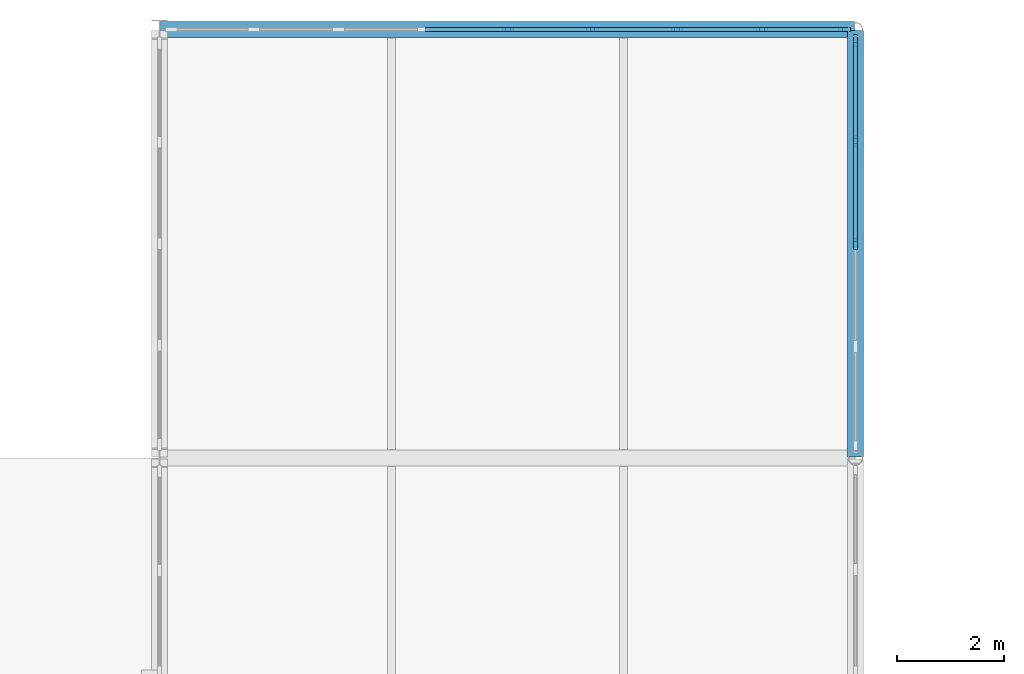
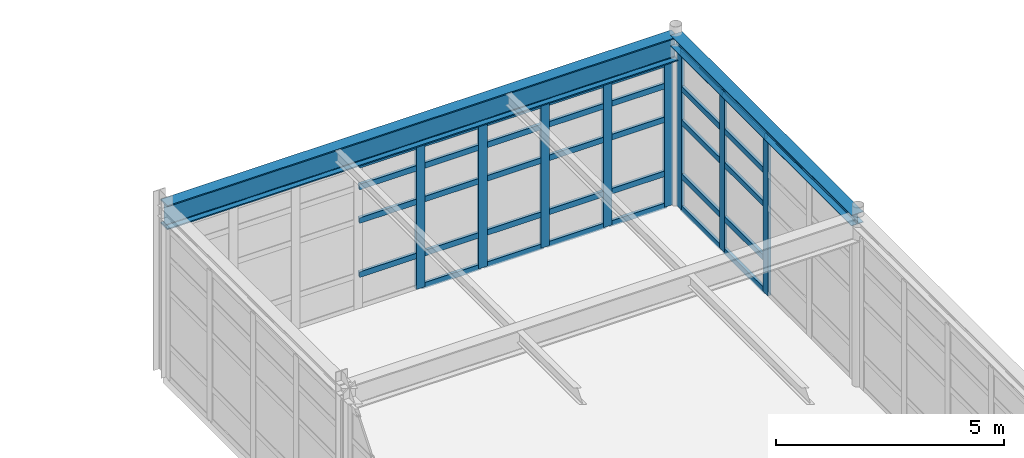
# One storey, part 80 of 139: 42 members, 2 beams, 2 elements without a shape of their own.
"""IFC4 building model written with IfcOpenShell, lengths in metres."""

from ifc_helpers import new_model, si_unit, direction, frame, origin, origin_2d, place, context, subcontext, project, spatial, rectangle, i_section, extrude, material, layer, layer_set, material_profile, profile_set, type_object, element, aggregate, save


model = new_model("IFC4")

# Units and contexts
model_context = context("Model", 3, precision=1e-05, world=origin(), true_north=direction((0.0, 1.0)))
body_context = subcontext(model_context, "Body", "Model", "MODEL_VIEW")
ifc_project = project(units=[si_unit("LENGTHUNIT", "METRE"), si_unit("AREAUNIT", "SQUARE_METRE"), si_unit("VOLUMEUNIT", "CUBIC_METRE"), si_unit("PLANEANGLEUNIT", "RADIAN"), si_unit("MASSUNIT", "GRAM", prefix="KILO"), si_unit("THERMODYNAMICTEMPERATUREUNIT", "KELVIN"), si_unit("POWERUNIT", "WATT")], contexts=[model_context])

# Site, building, storey
site_placement = place(None, origin())
site = spatial("IfcSite", under=ifc_project, at=site_placement, CompositionType="ELEMENT")
building_placement = place(site_placement, origin())
building = spatial("IfcBuilding", under=site, at=building_placement, Name="Korenveer Ferry Terminal", CompositionType="ELEMENT")
storey_placement = place(building_placement, frame((0.0, 0.0, 5.39990234375)))
storey = spatial("IfcBuildingStorey", under=building, at=storey_placement, Name="L01", CompositionType="ELEMENT", Elevation=5.39990234375)

# Curtain wall, members
ifc_material_1 = material(Name="Unitised bronze-and-glass curtain wall", Category="glass")
ifc_layer_1 = layer(ifc_material_1, 0.219970703125)
ifc_layer_set_1 = layer_set([ifc_layer_1], Name="Unitised bronze-and-glass curtain wall")
curtain_wall_type_1 = type_object("IfcCurtainWallType", Name="ENV-CW-57", PredefinedType="USERDEFINED", material=ifc_layer_set_1)
curtain_wall_1_placement = place(storey_placement, frame((123.179931640625, 116.0, 0.0)))
curtain_wall_1 = element("IfcCurtainWall", 1, at=curtain_wall_1_placement, inside=storey, type_object=curtain_wall_type_1, Name="Lancet curtain wall CWX-L01-X123-136-Y116-116", ObjectType="UNITISED CURTAIN WALL", PredefinedType="USERDEFINED")
ifc_material_2 = material(Name="Anodised bronze aluminium", Category="aluminium")
ifc_material_profile_1 = material_profile(ifc_material_2, rectangle(XDim=0.074951171875, YDim=0.219970703125, at=origin_2d()), Name="ALU 75x220")
ifc_profile_set_1 = profile_set([ifc_material_profile_1], Name="Anodised bronze aluminium")
member_type_1 = type_object("IfcMemberType", Name="ENV-CWM-75X220", PredefinedType="MULLION", material=ifc_profile_set_1)
member_1_placement = place(storey_placement, frame((129.5068359375, 116.0, 0.0), z_axis=(0.0, 0.0, 1.0), x_axis=(0.0, 1.0, 0.0)))
member_1 = element("IfcMember", 2, at=member_1_placement, type_object=member_type_1, Name="CW-57 mullion 5", PredefinedType="MULLION", context=body_context, shape_type="SweptSolid", body=[
    extrude(rectangle(XDim=0.074951171875, YDim=0.219970703125, at=origin_2d()), origin(), (0.0, 0.0, 1.0), 3.8701171875),
])
member_2_placement = place(storey_placement, frame((131.08837890625, 116.0, 0.0), z_axis=(0.0, 0.0, 1.0), x_axis=(0.0, 1.0, 0.0)))
member_2 = element("IfcMember", 3, at=member_2_placement, type_object=member_type_1, Name="CW-57 mullion 6", PredefinedType="MULLION", context=body_context, shape_type="SweptSolid", body=[
    extrude(rectangle(XDim=0.074951171875, YDim=0.219970703125, at=origin_2d()), origin(), (0.0, 0.0, 1.0), 3.8701171875),
])
member_3_placement = place(storey_placement, frame((132.670166015625, 116.0, 0.0), z_axis=(0.0, 0.0, 1.0), x_axis=(0.0, 1.0, 0.0)))
member_3 = element("IfcMember", 4, at=member_3_placement, type_object=member_type_1, Name="CW-57 mullion 7", PredefinedType="MULLION", context=body_context, shape_type="SweptSolid", body=[
    extrude(rectangle(XDim=0.074951171875, YDim=0.219970703125, at=origin_2d()), origin(), (0.0, 0.0, 1.0), 3.8701171875),
])
member_4_placement = place(storey_placement, frame((134.251708984375, 116.0, 0.0), z_axis=(0.0, 0.0, 1.0), x_axis=(0.0, 1.0, 0.0)))
member_4 = element("IfcMember", 5, at=member_4_placement, type_object=member_type_1, Name="CW-57 mullion 8", PredefinedType="MULLION", context=body_context, shape_type="SweptSolid", body=[
    extrude(rectangle(XDim=0.074951171875, YDim=0.219970703125, at=origin_2d()), origin(), (0.0, 0.0, 1.0), 3.8701171875),
])
member_5_placement = place(storey_placement, frame((135.7958984375, 116.0, 0.0), z_axis=(0.0, 0.0, 1.0), x_axis=(0.0, 1.0, 0.0)))
member_5 = element("IfcMember", 6, at=member_5_placement, type_object=member_type_1, Name="CW-57 mullion 9", PredefinedType="MULLION", context=body_context, shape_type="SweptSolid", body=[
    extrude(rectangle(XDim=0.074951171875, YDim=0.219970703125, at=origin_2d()), origin(), (0.0, 0.0, 1.0), 3.8701171875),
])

ifc_layer_2 = layer(ifc_material_1, 0.219970703125)
ifc_layer_set_2 = layer_set([ifc_layer_2], Name="Unitised bronze-and-glass curtain wall")
curtain_wall_type_2 = type_object("IfcCurtainWallType", Name="ENV-CW-77", PredefinedType="USERDEFINED", material=ifc_layer_set_2)
curtain_wall_2_placement = place(storey_placement, frame((136.0, 115.83349609375, 0.0)))
curtain_wall_2 = element("IfcCurtainWall", 7, at=curtain_wall_2_placement, inside=storey, type_object=curtain_wall_type_2, Name="Lancet curtain wall CWX-L01-X136-136-Y108-116", ObjectType="UNITISED CURTAIN WALL", PredefinedType="USERDEFINED")
member_6_placement = place(storey_placement, frame((136.0, 115.7958984375, 0.0), z_axis=(0.0, 0.0, 1.0), x_axis=(1.0, 0.0, 0.0)))
member_6 = element("IfcMember", 8, at=member_6_placement, type_object=member_type_1, Name="CW-77 mullion 1", PredefinedType="MULLION", context=body_context, shape_type="SweptSolid", body=[
    extrude(rectangle(XDim=0.074951171875, YDim=0.219970703125, at=origin_2d()), origin(), (0.0, 0.0, 1.0), 4.22998046875),
])
member_7_placement = place(storey_placement, frame((136.0, 113.916748046875, 0.0), z_axis=(0.0, 0.0, 1.0), x_axis=(1.0, 0.0, 0.0)))
member_7 = element("IfcMember", 9, at=member_7_placement, type_object=member_type_1, Name="CW-77 mullion 2", PredefinedType="MULLION", context=body_context, shape_type="SweptSolid", body=[
    extrude(rectangle(XDim=0.074951171875, YDim=0.219970703125, at=origin_2d()), origin(), (0.0, 0.0, 1.0), 4.22998046875),
])
member_8_placement = place(storey_placement, frame((136.0, 112.0, 0.0), z_axis=(0.0, 0.0, 1.0), x_axis=(1.0, 0.0, 0.0)))
member_8 = element("IfcMember", 10, at=member_8_placement, type_object=member_type_1, Name="CW-77 mullion 3", PredefinedType="MULLION", context=body_context, shape_type="SweptSolid", body=[
    extrude(rectangle(XDim=0.074951171875, YDim=0.219970703125, at=origin_2d()), origin(), (0.0, 0.0, 1.0), 4.22998046875),
])

# Member
ifc_material_profile_2 = material_profile(ifc_material_2, rectangle(XDim=0.074951171875, YDim=0.14990234375, at=origin_2d()), Name="ALU 75x150")
ifc_profile_set_2 = profile_set([ifc_material_profile_2], Name="Anodised bronze aluminium")
member_type_2 = type_object("IfcMemberType", Name="ENV-CWT-75X150", PredefinedType="USERDEFINED", material=ifc_profile_set_2)
member_9_placement = place(storey_placement, frame((127.962646484375, 116.0, 0.900146484375), z_axis=(1.0, 0.0, 0.0), x_axis=(0.0, 1.0, 0.0)))
member_9 = element("IfcMember", 11, at=member_9_placement, type_object=member_type_2, Name="CW-57 transom 4.2", ObjectType="TRANSOM", PredefinedType="USERDEFINED", context=body_context, shape_type="SweptSolid", body=[
    extrude(rectangle(XDim=0.074951171875, YDim=0.14990234375, at=origin_2d()), origin(), (0.0, 0.0, 1.0), 1.506591796875),
])

member_10_placement = place(storey_placement, frame((127.962646484375, 116.0, 2.35009765625), z_axis=(1.0, 0.0, 0.0), x_axis=(0.0, 1.0, 0.0)))
member_10 = element("IfcMember", 12, at=member_10_placement, type_object=member_type_2, Name="CW-57 transom 4.3", ObjectType="TRANSOM", PredefinedType="USERDEFINED", context=body_context, shape_type="SweptSolid", body=[
    extrude(rectangle(XDim=0.074951171875, YDim=0.14990234375, at=origin_2d()), origin(), (0.0, 0.0, 1.0), 1.506591796875),
])

member_11_placement = place(storey_placement, frame((127.962646484375, 116.0, 3.25), z_axis=(1.0, 0.0, 0.0), x_axis=(0.0, 1.0, 0.0)))
member_11 = element("IfcMember", 13, at=member_11_placement, type_object=member_type_2, Name="CW-57 transom 4.4", ObjectType="TRANSOM", PredefinedType="USERDEFINED", context=body_context, shape_type="SweptSolid", body=[
    extrude(rectangle(XDim=0.074951171875, YDim=0.14990234375, at=origin_2d()), origin(), (0.0, 0.0, 1.0), 1.506591796875),
])

member_12_placement = place(storey_placement, frame((127.962646484375, 116.0, 3.83251953125), z_axis=(1.0, 0.0, 0.0), x_axis=(0.0, 1.0, 0.0)))
member_12 = element("IfcMember", 14, at=member_12_placement, type_object=member_type_2, Name="CW-57 transom 4.5", ObjectType="TRANSOM", PredefinedType="USERDEFINED", context=body_context, shape_type="SweptSolid", body=[
    extrude(rectangle(XDim=0.074951171875, YDim=0.14990234375, at=origin_2d()), origin(), (0.0, 0.0, 1.0), 1.506591796875),
])

member_13_placement = place(storey_placement, frame((129.544189453125, 116.0, 0.03759765625), z_axis=(1.0, 0.0, 0.0), x_axis=(0.0, 1.0, 0.0)))
member_13 = element("IfcMember", 15, at=member_13_placement, type_object=member_type_2, Name="CW-57 transom 5.1", ObjectType="TRANSOM", PredefinedType="USERDEFINED", context=body_context, shape_type="SweptSolid", body=[
    extrude(rectangle(XDim=0.074951171875, YDim=0.14990234375, at=origin_2d()), origin(), (0.0, 0.0, 1.0), 1.5068359375),
])

member_14_placement = place(storey_placement, frame((129.544189453125, 116.0, 0.900146484375), z_axis=(1.0, 0.0, 0.0), x_axis=(0.0, 1.0, 0.0)))
member_14 = element("IfcMember", 16, at=member_14_placement, type_object=member_type_2, Name="CW-57 transom 5.2", ObjectType="TRANSOM", PredefinedType="USERDEFINED", context=body_context, shape_type="SweptSolid", body=[
    extrude(rectangle(XDim=0.074951171875, YDim=0.14990234375, at=origin_2d()), origin(), (0.0, 0.0, 1.0), 1.5068359375),
])

member_15_placement = place(storey_placement, frame((129.544189453125, 116.0, 2.35009765625), z_axis=(1.0, 0.0, 0.0), x_axis=(0.0, 1.0, 0.0)))
member_15 = element("IfcMember", 17, at=member_15_placement, type_object=member_type_2, Name="CW-57 transom 5.3", ObjectType="TRANSOM", PredefinedType="USERDEFINED", context=body_context, shape_type="SweptSolid", body=[
    extrude(rectangle(XDim=0.074951171875, YDim=0.14990234375, at=origin_2d()), origin(), (0.0, 0.0, 1.0), 1.5068359375),
])

member_16_placement = place(storey_placement, frame((129.544189453125, 116.0, 3.25), z_axis=(1.0, 0.0, 0.0), x_axis=(0.0, 1.0, 0.0)))
member_16 = element("IfcMember", 18, at=member_16_placement, type_object=member_type_2, Name="CW-57 transom 5.4", ObjectType="TRANSOM", PredefinedType="USERDEFINED", context=body_context, shape_type="SweptSolid", body=[
    extrude(rectangle(XDim=0.074951171875, YDim=0.14990234375, at=origin_2d()), origin(), (0.0, 0.0, 1.0), 1.5068359375),
])

member_17_placement = place(storey_placement, frame((129.544189453125, 116.0, 3.83251953125), z_axis=(1.0, 0.0, 0.0), x_axis=(0.0, 1.0, 0.0)))
member_17 = element("IfcMember", 19, at=member_17_placement, type_object=member_type_2, Name="CW-57 transom 5.5", ObjectType="TRANSOM", PredefinedType="USERDEFINED", context=body_context, shape_type="SweptSolid", body=[
    extrude(rectangle(XDim=0.074951171875, YDim=0.14990234375, at=origin_2d()), origin(), (0.0, 0.0, 1.0), 1.5068359375),
])

member_18_placement = place(storey_placement, frame((131.1259765625, 116.0, 0.03759765625), z_axis=(1.0, 0.0, 0.0), x_axis=(0.0, 1.0, 0.0)))
member_18 = element("IfcMember", 20, at=member_18_placement, type_object=member_type_2, Name="CW-57 transom 6.1", ObjectType="TRANSOM", PredefinedType="USERDEFINED", context=body_context, shape_type="SweptSolid", body=[
    extrude(rectangle(XDim=0.074951171875, YDim=0.14990234375, at=origin_2d()), origin(), (0.0, 0.0, 1.0), 1.506591796875),
])

member_19_placement = place(storey_placement, frame((131.1259765625, 116.0, 0.900146484375), z_axis=(1.0, 0.0, 0.0), x_axis=(0.0, 1.0, 0.0)))
member_19 = element("IfcMember", 21, at=member_19_placement, type_object=member_type_2, Name="CW-57 transom 6.2", ObjectType="TRANSOM", PredefinedType="USERDEFINED", context=body_context, shape_type="SweptSolid", body=[
    extrude(rectangle(XDim=0.074951171875, YDim=0.14990234375, at=origin_2d()), origin(), (0.0, 0.0, 1.0), 1.506591796875),
])

member_20_placement = place(storey_placement, frame((131.1259765625, 116.0, 2.35009765625), z_axis=(1.0, 0.0, 0.0), x_axis=(0.0, 1.0, 0.0)))
member_20 = element("IfcMember", 22, at=member_20_placement, type_object=member_type_2, Name="CW-57 transom 6.3", ObjectType="TRANSOM", PredefinedType="USERDEFINED", context=body_context, shape_type="SweptSolid", body=[
    extrude(rectangle(XDim=0.074951171875, YDim=0.14990234375, at=origin_2d()), origin(), (0.0, 0.0, 1.0), 1.506591796875),
])

member_21_placement = place(storey_placement, frame((131.1259765625, 116.0, 3.25), z_axis=(1.0, 0.0, 0.0), x_axis=(0.0, 1.0, 0.0)))
member_21 = element("IfcMember", 23, at=member_21_placement, type_object=member_type_2, Name="CW-57 transom 6.4", ObjectType="TRANSOM", PredefinedType="USERDEFINED", context=body_context, shape_type="SweptSolid", body=[
    extrude(rectangle(XDim=0.074951171875, YDim=0.14990234375, at=origin_2d()), origin(), (0.0, 0.0, 1.0), 1.506591796875),
])

member_22_placement = place(storey_placement, frame((131.1259765625, 116.0, 3.83251953125), z_axis=(1.0, 0.0, 0.0), x_axis=(0.0, 1.0, 0.0)))
member_22 = element("IfcMember", 24, at=member_22_placement, type_object=member_type_2, Name="CW-57 transom 6.5", ObjectType="TRANSOM", PredefinedType="USERDEFINED", context=body_context, shape_type="SweptSolid", body=[
    extrude(rectangle(XDim=0.074951171875, YDim=0.14990234375, at=origin_2d()), origin(), (0.0, 0.0, 1.0), 1.506591796875),
])

member_23_placement = place(storey_placement, frame((132.70751953125, 116.0, 0.03759765625), z_axis=(1.0, 0.0, 0.0), x_axis=(0.0, 1.0, 0.0)))
member_23 = element("IfcMember", 25, at=member_23_placement, type_object=member_type_2, Name="CW-57 transom 7.1", ObjectType="TRANSOM", PredefinedType="USERDEFINED", context=body_context, shape_type="SweptSolid", body=[
    extrude(rectangle(XDim=0.074951171875, YDim=0.14990234375, at=origin_2d()), origin(), (0.0, 0.0, 1.0), 1.5068359375),
])

member_24_placement = place(storey_placement, frame((132.70751953125, 116.0, 0.900146484375), z_axis=(1.0, 0.0, 0.0), x_axis=(0.0, 1.0, 0.0)))
member_24 = element("IfcMember", 26, at=member_24_placement, type_object=member_type_2, Name="CW-57 transom 7.2", ObjectType="TRANSOM", PredefinedType="USERDEFINED", context=body_context, shape_type="SweptSolid", body=[
    extrude(rectangle(XDim=0.074951171875, YDim=0.14990234375, at=origin_2d()), origin(), (0.0, 0.0, 1.0), 1.5068359375),
])

member_25_placement = place(storey_placement, frame((132.70751953125, 116.0, 2.35009765625), z_axis=(1.0, 0.0, 0.0), x_axis=(0.0, 1.0, 0.0)))
member_25 = element("IfcMember", 27, at=member_25_placement, type_object=member_type_2, Name="CW-57 transom 7.3", ObjectType="TRANSOM", PredefinedType="USERDEFINED", context=body_context, shape_type="SweptSolid", body=[
    extrude(rectangle(XDim=0.074951171875, YDim=0.14990234375, at=origin_2d()), origin(), (0.0, 0.0, 1.0), 1.5068359375),
])

member_26_placement = place(storey_placement, frame((132.70751953125, 116.0, 3.25), z_axis=(1.0, 0.0, 0.0), x_axis=(0.0, 1.0, 0.0)))
member_26 = element("IfcMember", 28, at=member_26_placement, type_object=member_type_2, Name="CW-57 transom 7.4", ObjectType="TRANSOM", PredefinedType="USERDEFINED", context=body_context, shape_type="SweptSolid", body=[
    extrude(rectangle(XDim=0.074951171875, YDim=0.14990234375, at=origin_2d()), origin(), (0.0, 0.0, 1.0), 1.5068359375),
])

member_27_placement = place(storey_placement, frame((132.70751953125, 116.0, 3.83251953125), z_axis=(1.0, 0.0, 0.0), x_axis=(0.0, 1.0, 0.0)))
member_27 = element("IfcMember", 29, at=member_27_placement, type_object=member_type_2, Name="CW-57 transom 7.5", ObjectType="TRANSOM", PredefinedType="USERDEFINED", context=body_context, shape_type="SweptSolid", body=[
    extrude(rectangle(XDim=0.074951171875, YDim=0.14990234375, at=origin_2d()), origin(), (0.0, 0.0, 1.0), 1.5068359375),
])

member_28_placement = place(storey_placement, frame((134.289306640625, 116.0, 0.03759765625), z_axis=(1.0, 0.0, 0.0), x_axis=(0.0, 1.0, 0.0)))
member_28 = element("IfcMember", 30, at=member_28_placement, type_object=member_type_2, Name="CW-57 transom 8.1", ObjectType="TRANSOM", PredefinedType="USERDEFINED", context=body_context, shape_type="SweptSolid", body=[
    extrude(rectangle(XDim=0.074951171875, YDim=0.14990234375, at=origin_2d()), origin(), (0.0, 0.0, 1.0), 1.46923828125),
])

member_29_placement = place(storey_placement, frame((134.289306640625, 116.0, 0.900146484375), z_axis=(1.0, 0.0, 0.0), x_axis=(0.0, 1.0, 0.0)))
member_29 = element("IfcMember", 31, at=member_29_placement, type_object=member_type_2, Name="CW-57 transom 8.2", ObjectType="TRANSOM", PredefinedType="USERDEFINED", context=body_context, shape_type="SweptSolid", body=[
    extrude(rectangle(XDim=0.074951171875, YDim=0.14990234375, at=origin_2d()), origin(), (0.0, 0.0, 1.0), 1.46923828125),
])

member_30_placement = place(storey_placement, frame((134.289306640625, 116.0, 2.35009765625), z_axis=(1.0, 0.0, 0.0), x_axis=(0.0, 1.0, 0.0)))
member_30 = element("IfcMember", 32, at=member_30_placement, type_object=member_type_2, Name="CW-57 transom 8.3", ObjectType="TRANSOM", PredefinedType="USERDEFINED", context=body_context, shape_type="SweptSolid", body=[
    extrude(rectangle(XDim=0.074951171875, YDim=0.14990234375, at=origin_2d()), origin(), (0.0, 0.0, 1.0), 1.46923828125),
])

member_31_placement = place(storey_placement, frame((134.289306640625, 116.0, 3.25), z_axis=(1.0, 0.0, 0.0), x_axis=(0.0, 1.0, 0.0)))
member_31 = element("IfcMember", 33, at=member_31_placement, type_object=member_type_2, Name="CW-57 transom 8.4", ObjectType="TRANSOM", PredefinedType="USERDEFINED", context=body_context, shape_type="SweptSolid", body=[
    extrude(rectangle(XDim=0.074951171875, YDim=0.14990234375, at=origin_2d()), origin(), (0.0, 0.0, 1.0), 1.46923828125),
])

member_32_placement = place(storey_placement, frame((134.289306640625, 116.0, 3.83251953125), z_axis=(1.0, 0.0, 0.0), x_axis=(0.0, 1.0, 0.0)))
member_32 = element("IfcMember", 34, at=member_32_placement, type_object=member_type_2, Name="CW-57 transom 8.5", ObjectType="TRANSOM", PredefinedType="USERDEFINED", context=body_context, shape_type="SweptSolid", body=[
    extrude(rectangle(XDim=0.074951171875, YDim=0.14990234375, at=origin_2d()), origin(), (0.0, 0.0, 1.0), 1.46923828125),
])

aggregate(curtain_wall_1, [member_1, member_2, member_3, member_4, member_5, member_9, member_10, member_11, member_12, member_13, member_14, member_15, member_16, member_17, member_18, member_19, member_20, member_21, member_22, member_23, member_24, member_25, member_26, member_27, member_28, member_29, member_30, member_31, member_32])

member_33_placement = place(storey_placement, frame((136.0, 115.758544921875, 0.03759765625), z_axis=(0.0, -1.0, 0.0), x_axis=(1.0, 0.0, 0.0)))
member_33 = element("IfcMember", 35, at=member_33_placement, type_object=member_type_2, Name="CW-77 transom 1.1", ObjectType="TRANSOM", PredefinedType="USERDEFINED", context=body_context, shape_type="SweptSolid", body=[
    extrude(rectangle(XDim=0.074951171875, YDim=0.14990234375, at=origin_2d()), origin(), (0.0, 0.0, 1.0), 1.80419921875),
])

member_34_placement = place(storey_placement, frame((136.0, 115.758544921875, 0.900146484375), z_axis=(0.0, -1.0, 0.0), x_axis=(1.0, 0.0, 0.0)))
member_34 = element("IfcMember", 36, at=member_34_placement, type_object=member_type_2, Name="CW-77 transom 1.2", ObjectType="TRANSOM", PredefinedType="USERDEFINED", context=body_context, shape_type="SweptSolid", body=[
    extrude(rectangle(XDim=0.074951171875, YDim=0.14990234375, at=origin_2d()), origin(), (0.0, 0.0, 1.0), 1.80419921875),
])

member_35_placement = place(storey_placement, frame((136.0, 115.758544921875, 2.35009765625), z_axis=(0.0, -1.0, 0.0), x_axis=(1.0, 0.0, 0.0)))
member_35 = element("IfcMember", 37, at=member_35_placement, type_object=member_type_2, Name="CW-77 transom 1.3", ObjectType="TRANSOM", PredefinedType="USERDEFINED", context=body_context, shape_type="SweptSolid", body=[
    extrude(rectangle(XDim=0.074951171875, YDim=0.14990234375, at=origin_2d()), origin(), (0.0, 0.0, 1.0), 1.80419921875),
])

member_36_placement = place(storey_placement, frame((136.0, 115.758544921875, 3.25), z_axis=(0.0, -1.0, 0.0), x_axis=(1.0, 0.0, 0.0)))
member_36 = element("IfcMember", 38, at=member_36_placement, type_object=member_type_2, Name="CW-77 transom 1.4", ObjectType="TRANSOM", PredefinedType="USERDEFINED", context=body_context, shape_type="SweptSolid", body=[
    extrude(rectangle(XDim=0.074951171875, YDim=0.14990234375, at=origin_2d()), origin(), (0.0, 0.0, 1.0), 1.80419921875),
])

member_37_placement = place(storey_placement, frame((136.0, 115.758544921875, 4.192626953125), z_axis=(0.0, -1.0, 0.0), x_axis=(1.0, 0.0, 0.0)))
member_37 = element("IfcMember", 39, at=member_37_placement, type_object=member_type_2, Name="CW-77 transom 1.5", ObjectType="TRANSOM", PredefinedType="USERDEFINED", context=body_context, shape_type="SweptSolid", body=[
    extrude(rectangle(XDim=0.074951171875, YDim=0.14990234375, at=origin_2d()), origin(), (0.0, 0.0, 1.0), 1.80419921875),
])

member_38_placement = place(storey_placement, frame((136.0, 113.879150390625, 0.03759765625), z_axis=(0.0, -1.0, 0.0), x_axis=(1.0, 0.0, 0.0)))
member_38 = element("IfcMember", 40, at=member_38_placement, type_object=member_type_2, Name="CW-77 transom 2.1", ObjectType="TRANSOM", PredefinedType="USERDEFINED", context=body_context, shape_type="SweptSolid", body=[
    extrude(rectangle(XDim=0.074951171875, YDim=0.14990234375, at=origin_2d()), origin(), (0.0, 0.0, 1.0), 1.841552734375),
])

member_39_placement = place(storey_placement, frame((136.0, 113.879150390625, 0.900146484375), z_axis=(0.0, -1.0, 0.0), x_axis=(1.0, 0.0, 0.0)))
member_39 = element("IfcMember", 41, at=member_39_placement, type_object=member_type_2, Name="CW-77 transom 2.2", ObjectType="TRANSOM", PredefinedType="USERDEFINED", context=body_context, shape_type="SweptSolid", body=[
    extrude(rectangle(XDim=0.074951171875, YDim=0.14990234375, at=origin_2d()), origin(), (0.0, 0.0, 1.0), 1.841552734375),
])

member_40_placement = place(storey_placement, frame((136.0, 113.879150390625, 2.35009765625), z_axis=(0.0, -1.0, 0.0), x_axis=(1.0, 0.0, 0.0)))
member_40 = element("IfcMember", 42, at=member_40_placement, type_object=member_type_2, Name="CW-77 transom 2.3", ObjectType="TRANSOM", PredefinedType="USERDEFINED", context=body_context, shape_type="SweptSolid", body=[
    extrude(rectangle(XDim=0.074951171875, YDim=0.14990234375, at=origin_2d()), origin(), (0.0, 0.0, 1.0), 1.841552734375),
])

member_41_placement = place(storey_placement, frame((136.0, 113.879150390625, 3.25), z_axis=(0.0, -1.0, 0.0), x_axis=(1.0, 0.0, 0.0)))
member_41 = element("IfcMember", 43, at=member_41_placement, type_object=member_type_2, Name="CW-77 transom 2.4", ObjectType="TRANSOM", PredefinedType="USERDEFINED", context=body_context, shape_type="SweptSolid", body=[
    extrude(rectangle(XDim=0.074951171875, YDim=0.14990234375, at=origin_2d()), origin(), (0.0, 0.0, 1.0), 1.841552734375),
])

member_42_placement = place(storey_placement, frame((136.0, 113.879150390625, 4.192626953125), z_axis=(0.0, -1.0, 0.0), x_axis=(1.0, 0.0, 0.0)))
member_42 = element("IfcMember", 44, at=member_42_placement, type_object=member_type_2, Name="CW-77 transom 2.5", ObjectType="TRANSOM", PredefinedType="USERDEFINED", context=body_context, shape_type="SweptSolid", body=[
    extrude(rectangle(XDim=0.074951171875, YDim=0.14990234375, at=origin_2d()), origin(), (0.0, 0.0, 1.0), 1.841552734375),
])

aggregate(curtain_wall_2, [member_6, member_7, member_8, member_33, member_34, member_35, member_36, member_37, member_38, member_39, member_40, member_41, member_42])

# Beams
ifc_material_3 = material(Name="Steel S355", Category="steel")
ifc_material_profile_3 = material_profile(ifc_material_3, i_section(OverallWidth=0.300048828125, OverallDepth=0.2900390625, WebThickness=0.008544921875, FlangeThickness=0.013916015625, FilletRadius=0.027099609375, at=origin_2d()), Name="HEA 300")
ifc_profile_set_3 = profile_set([ifc_material_profile_3], Name="Steel S355")
beam_type_1 = type_object("IfcBeamType", Name="STR-BM-HEA300", PredefinedType="BEAM", material=ifc_profile_set_3)
beam_1_placement = place(storey_placement, frame((136.0, 108.02001953125, 4.405029296875), z_axis=(0.0, 1.0, 0.0), x_axis=(-1.0, 0.0, 0.0)))
element("IfcBeam", 45, at=beam_1_placement, inside=storey, type_object=beam_type_1, Name="Primary Y girder BMY-L02-X136-Y108-116", PredefinedType="BEAM", context=body_context, shape_type="SweptSolid", body=[
    extrude(i_section(OverallWidth=0.300048828125, OverallDepth=0.2900390625, WebThickness=0.008544921875, FlangeThickness=0.013916015625, FilletRadius=0.027099609375, at=origin_2d()), origin(), (0.0, 0.0, 1.0), 7.9599609375),
])
ifc_material_profile_4 = material_profile(ifc_material_3, i_section(OverallWidth=0.300048828125, OverallDepth=0.64990234375, WebThickness=0.01611328125, FlangeThickness=0.031005859375, FilletRadius=0.027099609375, at=origin_2d()), Name="HEB 650")
ifc_profile_set_4 = profile_set([ifc_material_profile_4], Name="Steel S355")
beam_type_2 = type_object("IfcBeamType", Name="STR-BM-HEB650", PredefinedType="BEAM", material=ifc_profile_set_4)
beam_2_placement = place(storey_placement, frame((123.02001953125, 116.0, 4.22509765625), z_axis=(1.0, 0.0, 0.0), x_axis=(0.0, 1.0, 0.0)))
element("IfcBeam", 46, at=beam_2_placement, inside=storey, type_object=beam_type_2, Name="Primary X girder BMX-L02-X123-136-Y116", PredefinedType="BEAM", context=body_context, shape_type="SweptSolid", body=[
    extrude(i_section(OverallWidth=0.300048828125, OverallDepth=0.64990234375, WebThickness=0.01611328125, FlangeThickness=0.031005859375, FilletRadius=0.027099609375, at=origin_2d()), origin(), (0.0, 0.0, 1.0), 12.9599609375),
])

save(model, "model.ifc")
